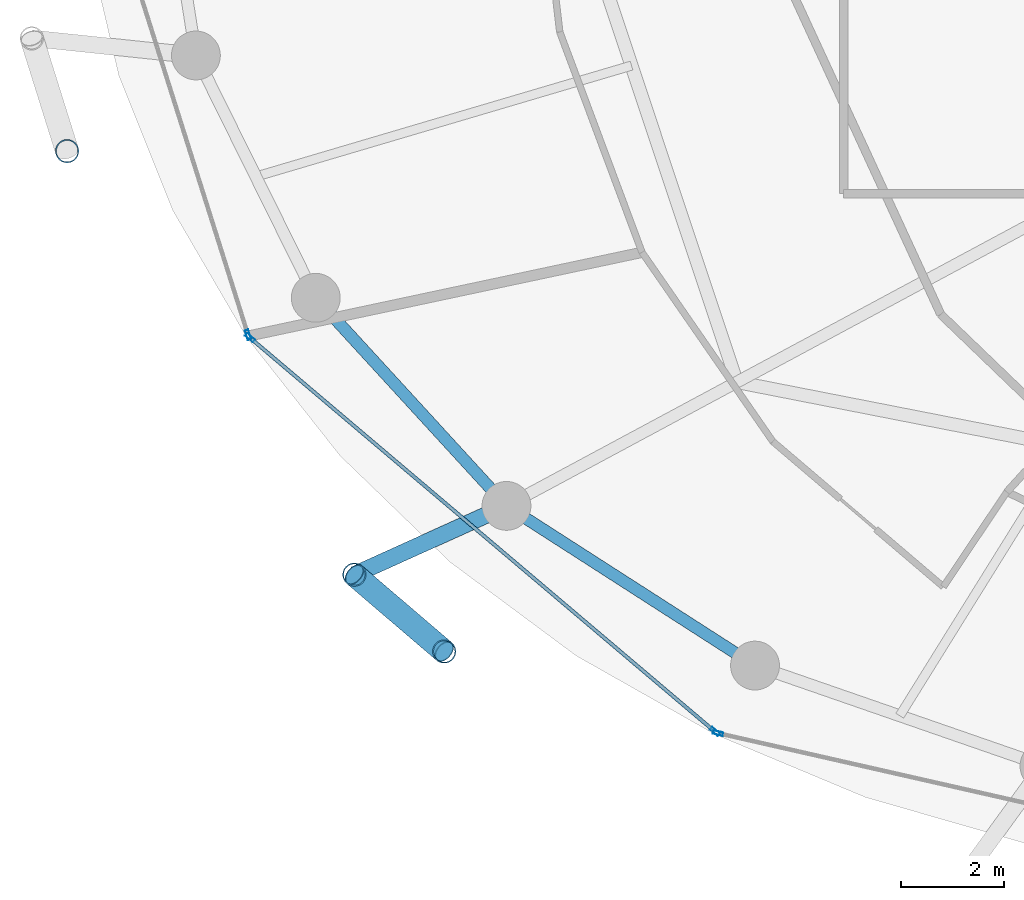
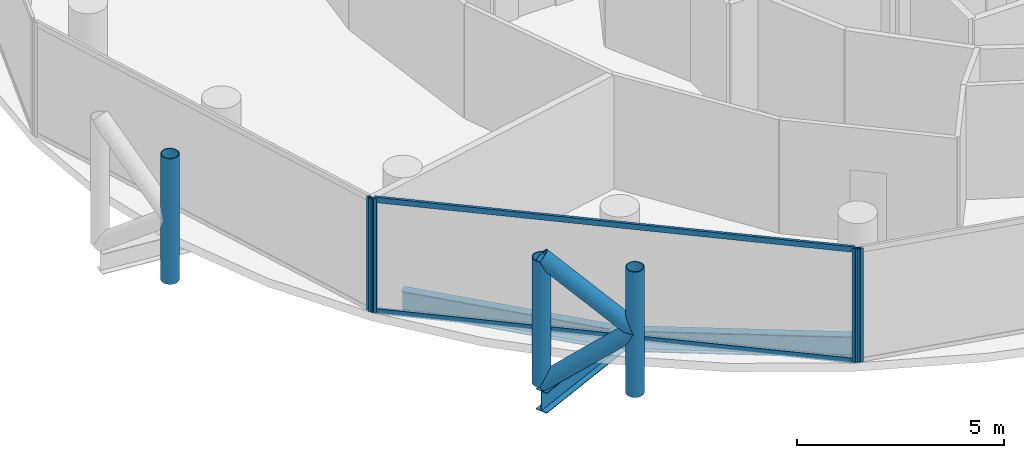
# One storey, part 2 of 26: 11 members, 3 beams, 3 elements without a shape of their own.
"""IFC4 building model written with IfcOpenShell, lengths in metres."""

from ifc_helpers import new_model, si_unit, direction, frame, origin, origin_2d, place, context, subcontext, project, spatial, hollow_rectangle, hollow_circle, i_section, extrude, material, layer, layer_set, material_profile, profile_set, type_object, element, aggregate, save


model = new_model("IFC4")

# Units and contexts
model_context = context("Model", 3, precision=1e-05, world=origin(), true_north=direction((0.0, 1.0)))
body_context = subcontext(model_context, "Body", "Model", "MODEL_VIEW")
ifc_project = project(units=[si_unit("LENGTHUNIT", "METRE"), si_unit("AREAUNIT", "SQUARE_METRE"), si_unit("VOLUMEUNIT", "CUBIC_METRE"), si_unit("PLANEANGLEUNIT", "RADIAN"), si_unit("MASSUNIT", "GRAM", prefix="KILO")], contexts=[model_context])

# Site, building, storey
site_placement = place(None, origin())
site = spatial("IfcSite", under=ifc_project, at=site_placement, CompositionType="ELEMENT")
building_placement = place(site_placement, origin())
building = spatial("IfcBuilding", under=site, at=building_placement, Name="Nuhasar Tower", CompositionType="ELEMENT")
storey_placement = place(building_placement, frame((0.0, 0.0, 192.25)))
storey = spatial("IfcBuildingStorey", under=building, at=storey_placement, Name="L47", CompositionType="ELEMENT", Elevation=192.25)

# Beams
ifc_material_1 = material(Name="Steel S355", Category="steel")
ifc_material_profile_1 = material_profile(ifc_material_1, i_section(OverallWidth=0.22998046875, OverallDepth=0.616943359375, WebThickness=0.01318359375, FlangeThickness=0.022216796875, at=origin_2d()), Name="W24X94")
ifc_profile_set_1 = profile_set([ifc_material_profile_1], Name="Steel S355")
beam_type_1 = type_object("IfcBeamType", Name="BM-RING-W24X94", PredefinedType="SPANDREL", material=ifc_profile_set_1)
beam_1_placement = place(storey_placement, frame((18.778076171875, 17.02490234375, -0.55908203125), z_axis=(0.675676316545, -0.737198423262, 0.0), x_axis=(0.737198423262, 0.675676316545, 0.0)))
element("IfcBeam", 1, at=beam_1_placement, inside=storey, type_object=beam_type_1, Name="L47 Perimeter Ring Spandrel 15", PredefinedType="SPANDREL", context=body_context, shape_type="SweptSolid", body=[
    extrude(i_section(OverallWidth=0.22998046875, OverallDepth=0.616943359375, WebThickness=0.01318359375, FlangeThickness=0.022216796875, at=origin_2d()), origin(), (0.0, 0.0, 1.0), 5.4921875),
])
beam_2_placement = place(storey_placement, frame((22.489013671875, 12.97607421875, -0.55908203125), z_axis=(0.841308170616, -0.540555789955, 0.0), x_axis=(0.540555789955, 0.841308170616, 0.0)))
element("IfcBeam", 2, at=beam_2_placement, inside=storey, type_object=beam_type_1, Name="L47 Perimeter Ring Spandrel 16", PredefinedType="SPANDREL", context=body_context, shape_type="SweptSolid", body=[
    extrude(i_section(OverallWidth=0.22998046875, OverallDepth=0.616943359375, WebThickness=0.01318359375, FlangeThickness=0.022216796875, at=origin_2d()), origin(), (0.0, 0.0, 1.0), 5.748046875),
])
ifc_material_profile_2 = material_profile(ifc_material_1, i_section(OverallWidth=0.323974609375, OverallDepth=0.611083984375, WebThickness=0.0126953125, FlangeThickness=0.01904296875, at=origin_2d()), Name="W24X104")
ifc_profile_set_2 = profile_set([ifc_material_profile_2], Name="Steel S355")
beam_type_2 = type_object("IfcBeamType", Name="BM-TIE-W24X104", PredefinedType="BEAM", material=ifc_profile_set_2)
beam_3_placement = place(storey_placement, frame((22.489013671875, 12.97607421875, -0.554931640625), z_axis=(-0.911211381786, -0.411939094653, 0.0), x_axis=(0.411939094653, -0.911211381786, 0.0)))
element("IfcBeam", 3, at=beam_3_placement, inside=storey, type_object=beam_type_2, Name="L47 Exoskeleton Node Tie Beam 08", PredefinedType="BEAM", context=body_context, shape_type="SweptSolid", body=[
    extrude(i_section(OverallWidth=0.323974609375, OverallDepth=0.611083984375, WebThickness=0.0126953125, FlangeThickness=0.01904296875, at=origin_2d()), origin(), (0.0, 0.0, 1.0), 3.248291015625),
])

# Curtain wall, member
ifc_material_2 = material(Name="Aluminium 6063-T6", Category="aluminium")
ifc_layer = layer(ifc_material_2, 0.199951171875)
ifc_layer_set = layer_set([ifc_layer], Name="Aluminium 6063-T6")
curtain_wall_type = type_object("IfcCurtainWallType", Name="CW-Z2-HTL", PredefinedType="NOTDEFINED", material=ifc_layer_set)
curtain_wall_1_placement = place(storey_placement, origin())
curtain_wall_1 = element("IfcCurtainWall", 4, at=curtain_wall_1_placement, inside=storey, type_object=curtain_wall_type, Name="L47 Unitised Curtain Wall 07", PredefinedType="NOTDEFINED")
ifc_material_profile_3 = material_profile(ifc_material_2, hollow_rectangle(XDim=0.070068359375, YDim=0.199951171875, WallThickness=0.0048828125, at=origin_2d()), Name="CWM-3")
ifc_profile_set_3 = profile_set([ifc_material_profile_3], Name="Aluminium 6063-T6")
member_type_1 = type_object("IfcMemberType", Name="CW-MUL-S3", PredefinedType="MULLION", material=ifc_profile_set_3)
member_1_placement = place(storey_placement, frame((17.46044921875, 16.303466796875, 0.0), z_axis=(0.0, 0.0, 1.0), x_axis=(0.953433389233, 0.301603667577, 0.0)))
member_1 = element("IfcMember", 5, at=member_1_placement, type_object=member_type_1, Name="CW-Z2 mullion 2", PredefinedType="MULLION", context=body_context, shape_type="SweptSolid", body=[
    extrude(hollow_rectangle(XDim=0.070068359375, YDim=0.199951171875, WallThickness=0.0048828125, at=origin_2d()), origin(), (0.0, 0.0, 1.0), 3.35009765625),
])
aggregate(curtain_wall_1, [member_1])

# Curtain wall, members
curtain_wall_2_placement = place(storey_placement, origin())
curtain_wall_2 = element("IfcCurtainWall", 6, at=curtain_wall_2_placement, inside=storey, type_object=curtain_wall_type, Name="L47 Unitised Curtain Wall 08", PredefinedType="NOTDEFINED")
member_2_placement = place(storey_placement, frame((17.497802734375, 16.247314453125, 0.0), z_axis=(0.0, 0.0, 1.0), x_axis=(0.646374438324, 0.763020370292, 0.0)))
member_2 = element("IfcMember", 7, at=member_2_placement, type_object=member_type_1, Name="CW-Z2 mullion 1", PredefinedType="MULLION", context=body_context, shape_type="SweptSolid", body=[
    extrude(hollow_rectangle(XDim=0.070068359375, YDim=0.199951171875, WallThickness=0.0048828125, at=origin_2d()), origin(), (0.0, 0.0, 1.0), 3.35009765625),
])
member_3_placement = place(storey_placement, frame((26.543212890625, 8.584716796875, 0.0), z_axis=(0.0, 0.0, 1.0), x_axis=(0.646374438324, 0.763020370292, 0.0)))
member_3 = element("IfcMember", 8, at=member_3_placement, type_object=member_type_1, Name="CW-Z2 mullion 2", PredefinedType="MULLION", context=body_context, shape_type="SweptSolid", body=[
    extrude(hollow_rectangle(XDim=0.070068359375, YDim=0.199951171875, WallThickness=0.0048828125, at=origin_2d()), origin(), (0.0, 0.0, 1.0), 3.35009765625),
])

# Curtain wall, member
curtain_wall_3_placement = place(storey_placement, origin())
curtain_wall_3 = element("IfcCurtainWall", 9, at=curtain_wall_3_placement, inside=storey, type_object=curtain_wall_type, Name="L47 Unitised Curtain Wall 09", PredefinedType="NOTDEFINED")
member_4_placement = place(storey_placement, frame((26.604248046875, 8.55419921875, 0.0), z_axis=(0.0, 0.0, 1.0), x_axis=(0.22139729566, 0.975183694221, 0.0)))
member_4 = element("IfcMember", 10, at=member_4_placement, type_object=member_type_1, Name="CW-Z2 mullion 1", PredefinedType="MULLION", context=body_context, shape_type="SweptSolid", body=[
    extrude(hollow_rectangle(XDim=0.070068359375, YDim=0.199951171875, WallThickness=0.0048828125, at=origin_2d()), origin(), (0.0, 0.0, 1.0), 3.35009765625),
])
aggregate(curtain_wall_3, [member_4])

# Member
ifc_material_profile_4 = material_profile(ifc_material_2, hollow_rectangle(XDim=0.070068359375, YDim=0.159912109375, WallThickness=0.00439453125, at=origin_2d()), Name="CWT-3")
ifc_profile_set_4 = profile_set([ifc_material_profile_4], Name="Aluminium 6063-T6")
member_type_2 = type_object("IfcMemberType", Name="CW-TRN-S3", PredefinedType="USERDEFINED", material=ifc_profile_set_4)
member_5_placement = place(storey_placement, frame((17.5244140625, 16.224853515625, 0.034912109375), z_axis=(0.763013698099, -0.646382314511, 0.0), x_axis=(0.646382314511, 0.763013698099, 0.0)))
member_5 = element("IfcMember", 11, at=member_5_placement, type_object=member_type_2, Name="CW-Z2 transom 1.1", ObjectType="TRANSOM", PredefinedType="USERDEFINED", context=body_context, shape_type="SweptSolid", body=[
    extrude(hollow_rectangle(XDim=0.070068359375, YDim=0.159912109375, WallThickness=0.00439453125, at=origin_2d()), origin(), (0.0, 0.0, 1.0), 11.78515625),
])

member_6_placement = place(storey_placement, frame((17.5244140625, 16.224853515625, 3.31494140625), z_axis=(0.763013698099, -0.646382314511, 0.0), x_axis=(0.646382314511, 0.763013698099, 0.0)))
member_6 = element("IfcMember", 12, at=member_6_placement, type_object=member_type_2, Name="CW-Z2 transom 1.2", ObjectType="TRANSOM", PredefinedType="USERDEFINED", context=body_context, shape_type="SweptSolid", body=[
    extrude(hollow_rectangle(XDim=0.070068359375, YDim=0.159912109375, WallThickness=0.00439453125, at=origin_2d()), origin(), (0.0, 0.0, 1.0), 11.78515625),
])

aggregate(curtain_wall_2, [member_2, member_3, member_5, member_6])

# Members
ifc_material_3 = material(Name="Steel S460", Category="steel")
ifc_material_profile_5 = material_profile(ifc_material_3, hollow_circle(Radius=0.228515625, WallThickness=0.022216796875, at=origin_2d()), Name="HSS457X22.2")
ifc_profile_set_5 = profile_set([ifc_material_profile_5], Name="Steel S460")
member_type_3 = type_object("IfcMemberType", Name="EXO-BRONZE-457", PredefinedType="BRACE", material=ifc_profile_set_5)
for number, where, z_axis, x_axis, name in (
    (13, (13.93994140625, 19.87890625, 0.0), (0.0, 0.0, 1.0), (1.0, 0.0, 0.0), "L47 Exoskeleton Chord Column EC-07B"),
    (14, (19.529052734375, 11.637939453125, 0.0), (0.0, 0.0, 1.0), (1.0, 0.0, 0.0), "L47 Exoskeleton Chord Column EC-08A"),
    (15, (21.277099609375, 10.14306640625, 0.0), (0.0, 0.0, 1.0), (1.0, 0.0, 0.0), "L47 Exoskeleton Chord Column EC-08B"),
):
    element("IfcMember", number, at=place(storey_placement, frame(where, z_axis=z_axis, x_axis=x_axis)), inside=storey, type_object=member_type_3, Name=name, PredefinedType="BRACE", context=body_context, shape_type="SweptSolid", body=[
        extrude(hollow_circle(Radius=0.228515625, WallThickness=0.022216796875, at=origin_2d()), origin(), (0.0, 0.0, 1.0), 3.699951171875),
    ])
member_7_placement = place(storey_placement, frame((19.529052734375, 11.637939453125, 0.0), z_axis=(0.592195175458, -0.506426125604, 0.626767463634), x_axis=(0.649925557156, 0.7599978751, 0.0)))
element("IfcMember", 16, at=member_7_placement, inside=storey, type_object=member_type_3, Name="L47 Bronze Diagrid Brace W1-08", PredefinedType="BRACE", context=body_context, shape_type="SweptSolid", body=[
    extrude(hollow_circle(Radius=0.228515625, WallThickness=0.022216796875, at=origin_2d()), origin(), (0.0, 0.0, 1.0), 2.951904296875),
])
member_8_placement = place(storey_placement, frame((21.277099609375, 10.14306640625, 1.85009765625), z_axis=(-0.592225874743, 0.506452378638, 0.626717242029), x_axis=(-0.649925557156, -0.7599978751, 0.0)))
element("IfcMember", 17, at=member_8_placement, inside=storey, type_object=member_type_3, Name="L47 Bronze Diagrid Brace W2-08", PredefinedType="BRACE", context=body_context, shape_type="SweptSolid", body=[
    extrude(hollow_circle(Radius=0.228515625, WallThickness=0.022216796875, at=origin_2d()), origin(), (0.0, 0.0, 1.0), 2.95166015625),
])

save(model, "model.ifc")
